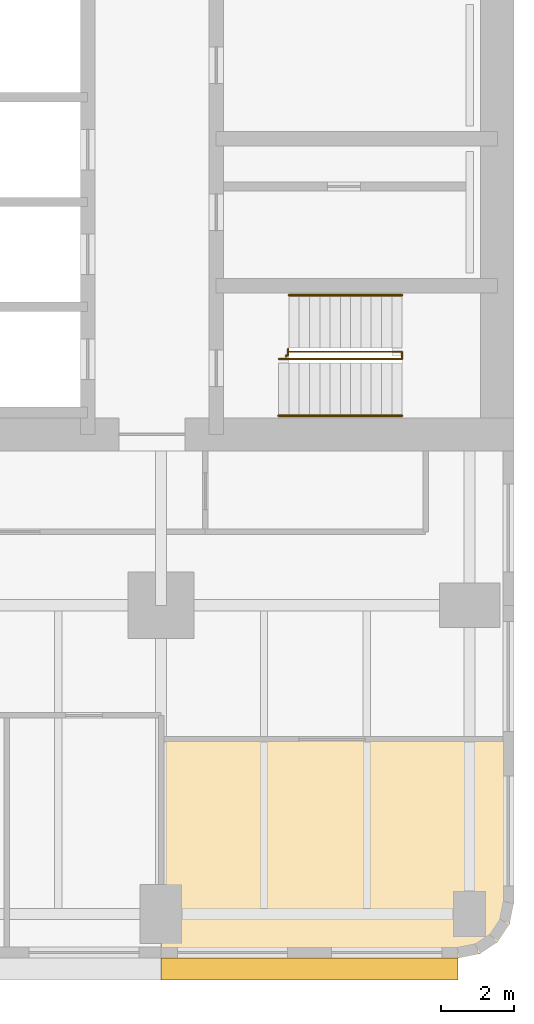
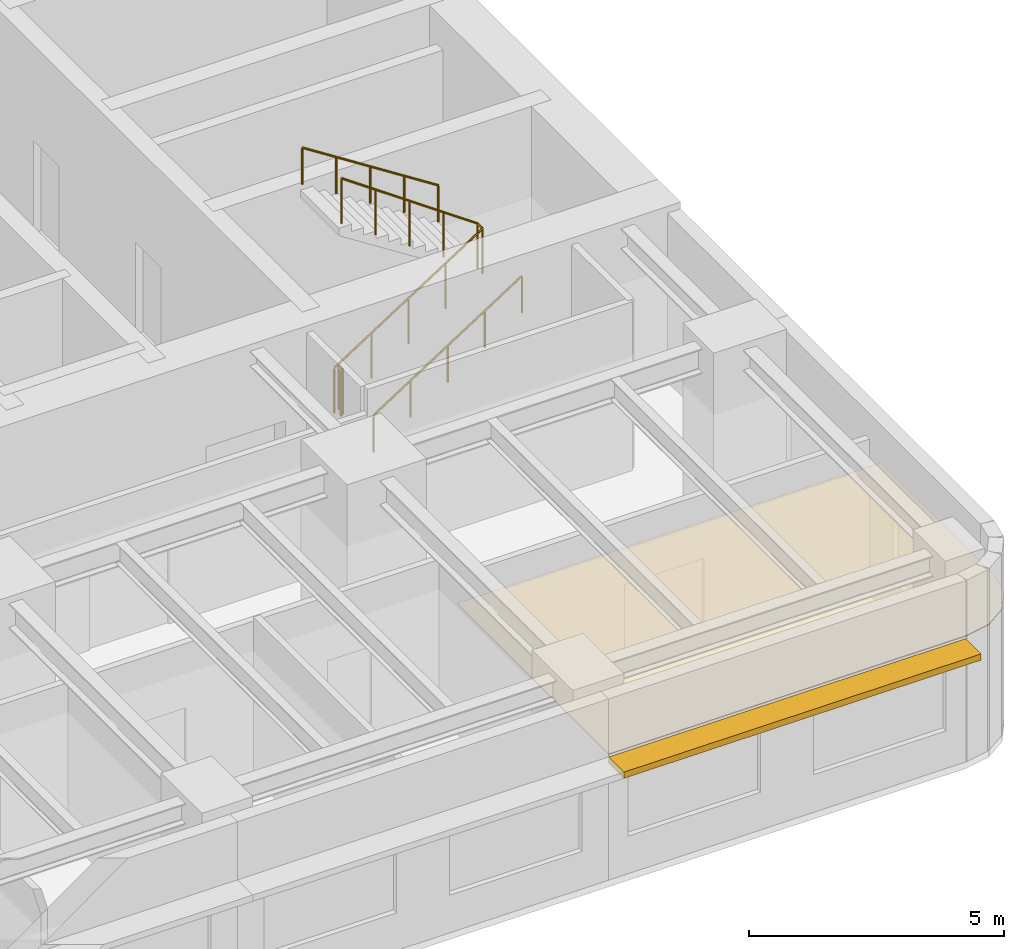
# One storey, part 11 of 14: 4 railings, 1 covering, 1 shading device.
"""IFC4 building model written with IfcOpenShell, lengths in metres."""

from ifc_helpers import new_model, si_unit, direction, frame, origin, origin_2d, place, context, subcontext, project, spatial, polyline, rectangle, circle, outline, extrude, material, layer, layer_set, type_object, element, save


model = new_model("IFC4")

# Units and contexts
model_context = context("Model", 3, precision=1e-05, world=origin(), true_north=direction((0.0, 1.0)))
body_context = subcontext(model_context, "Body", "Model", "MODEL_VIEW")
ifc_project = project(units=[si_unit("LENGTHUNIT", "METRE"), si_unit("AREAUNIT", "SQUARE_METRE"), si_unit("VOLUMEUNIT", "CUBIC_METRE"), si_unit("PLANEANGLEUNIT", "RADIAN"), si_unit("MASSUNIT", "GRAM", prefix="KILO")], contexts=[model_context])

# Site, building, storey
site_placement = place(None, origin())
site = spatial("IfcSite", under=ifc_project, at=site_placement, CompositionType="ELEMENT")
building_placement = place(site_placement, origin())
building = spatial("IfcBuilding", under=site, at=building_placement, Name="Claustro Exchange Tower", CompositionType="ELEMENT")
storey_placement = place(building_placement, frame((0.0, 0.0, 41.39990234375)))
storey = spatial("IfcBuildingStorey", under=building, at=storey_placement, Name="L09", CompositionType="ELEMENT", Elevation=41.39990234375)

# Covering
ifc_material_1 = material(Name="Gypsum board ceiling", Category="gypsum board")
ifc_layer_1 = layer(ifc_material_1, 0.02490234375)
ifc_layer_set_1 = layer_set([ifc_layer_1], Name="Gypsum board ceiling")
covering_type = type_object("IfcCoveringType", Name="CL2 plasterboard ceiling", PredefinedType="CEILING", material=ifc_layer_set_1)
covering_placement = place(storey_placement, frame((0.0, 0.0, 3.0)))
element("IfcCovering", 1, at=covering_placement, inside=storey, type_object=covering_type, Name="Ceiling CL2 L09-02", PredefinedType="CEILING", context=body_context, shape_type="SweptSolid", body=[
    extrude(outline(polyline([(51.60009765625, 0.300048828125), (51.60009765625, 4.75), (42.0, 4.75), (42.0, -1.199951171875), (50.10009765625, -1.199951171875), (50.674072265625, -1.085693359375), (51.16064453125, -0.7607421875), (51.48583984375, -0.27392578125), (51.60009765625, 0.300048828125)])), origin(), (0.0, 0.0, 1.0), 0.025146484375),
])

# Railings
ifc_material_2 = material(Name="Steel balustrade, painted", Category="steel")
railing_type_1 = type_object("IfcRailingType", Name="GR2 1100 steel stair guard", PredefinedType="GUARDRAIL", material=ifc_material_2)
railing_1_placement = place(storey_placement, frame((45.199951171875, 15.10009765625, 0.18017578125)))
element("IfcRailing", 2, at=railing_1_placement, inside=storey, type_object=railing_type_1, Name="Stair well guard GR2 stair STEA L09", PredefinedType="GUARDRAIL", context=body_context, shape_type="SweptSolid", body=[
    extrude(circle(Radius=0.02392578125, at=origin_2d()), frame((0.0, 0.0, 1.076171875), z_axis=(0.84119634759, 0.0, 0.540729789082), x_axis=(0.0, 1.0, 0.0)), (0.0, 0.0, 1.0), 3.994384765625),
    extrude(circle(Radius=0.02392578125, at=origin_2d()), frame((3.360107421875, 0.0, 3.23583984375), z_axis=(0.0, 1.0, 0.0), x_axis=(-1.0, 0.0, 0.0)), (0.0, 0.0, 1.0), 0.199951171875),
    extrude(circle(Radius=0.02392578125, at=origin_2d()), frame((3.360107421875, 0.199951171875, 3.23583984375), z_axis=(-0.8187499073, 0.0, 0.574150319426), x_axis=(0.0, -1.0, 0.0)), (0.0, 0.0, 1.0), 3.761962890625),
    extrude(circle(Radius=0.02099609375, at=origin_2d()), origin(), (0.0, 0.0, 1.0), 1.052001953125),
    extrude(circle(Radius=0.02099609375, at=origin_2d()), frame((0.840087890625, 0.0, 0.5400390625)), (0.0, 0.0, 1.0), 1.052001953125),
    extrude(circle(Radius=0.02099609375, at=origin_2d()), frame((1.68017578125, 0.0, 1.080078125)), (0.0, 0.0, 1.0), 1.052001953125),
    extrude(circle(Radius=0.02099609375, at=origin_2d()), frame((2.52001953125, 0.0, 1.619873046875)), (0.0, 0.0, 1.0), 1.052001953125),
    extrude(circle(Radius=0.02099609375, at=origin_2d()), frame((3.360107421875, 0.0, 2.159912109375)), (0.0, 0.0, 1.0), 1.052001953125),
    extrude(circle(Radius=0.02099609375, at=origin_2d()), frame((3.360107421875, 0.199951171875, 2.159912109375)), (0.0, 0.0, 1.0), 1.052001953125),
    extrude(circle(Radius=0.02099609375, at=origin_2d()), frame((2.590087890625, 0.199951171875, 2.699951171875)), (0.0, 0.0, 1.0), 1.052001953125),
    extrude(circle(Radius=0.02099609375, at=origin_2d()), frame((1.820068359375, 0.199951171875, 3.23974609375)), (0.0, 0.0, 1.0), 1.052001953125),
    extrude(circle(Radius=0.02099609375, at=origin_2d()), frame((1.050048828125, 0.199951171875, 3.77978515625)), (0.0, 0.0, 1.0), 1.052001953125),
    extrude(circle(Radius=0.02099609375, at=origin_2d()), frame((0.280029296875, 0.199951171875, 4.31982421875)), (0.0, 0.0, 1.0), 1.052001953125),
])
railing_2_placement = place(storey_placement, frame((45.39990234375, 15.169921875, 0.0)))
element("IfcRailing", 3, at=railing_2_placement, inside=storey, type_object=railing_type_1, Name="Stair guard GR2 STEA L09", PredefinedType="GUARDRAIL", context=body_context, shape_type="SweptSolid", body=[
    extrude(circle(Radius=0.02392578125, at=origin_2d()), frame((0.0, 0.0, 1.076171875), z_axis=(0.0, 1.0, 0.0), x_axis=(-1.0, 0.0, 0.0)), (0.0, 0.0, 1.0), 0.030029296875),
    extrude(circle(Radius=0.02392578125, at=origin_2d()), frame((0.0, 0.030029296875, 1.076171875), z_axis=(1.0, 0.0, 0.0), x_axis=(0.0, 1.0, 0.0)), (0.0, 0.0, 1.0), 0.05517578125),
    extrude(circle(Radius=0.02392578125, at=origin_2d()), frame((0.05517578125, 0.030029296875, 1.076171875), z_axis=(0.0, 1.0, 0.0), x_axis=(-1.0, 0.0, 0.0)), (0.0, 0.0, 1.0), 0.179931640625),
    extrude(circle(Radius=0.02099609375, at=origin_2d()), origin(), (0.0, 0.0, 1.0), 1.052001953125),
    extrude(circle(Radius=0.02099609375, at=origin_2d()), frame((0.0, 0.030029296875, 0.0)), (0.0, 0.0, 1.0), 1.052001953125),
    extrude(circle(Radius=0.02099609375, at=origin_2d()), frame((0.05517578125, 0.030029296875, 0.0)), (0.0, 0.0, 1.0), 1.052001953125),
    extrude(circle(Radius=0.02099609375, at=origin_2d()), frame((0.05517578125, 0.2099609375, 0.0)), (0.0, 0.0, 1.0), 1.052001953125),
])
ifc_material_3 = material(Name="Stainless steel tube", Category="steel")
railing_type_2 = type_object("IfcRailingType", Name="HR1 900 stair handrail", PredefinedType="HANDRAIL", material=ifc_material_3)
railing_3_placement = place(storey_placement, frame((45.199951171875, 13.56005859375, 0.18017578125)))
element("IfcRailing", 4, at=railing_3_placement, inside=storey, type_object=railing_type_2, Name="Handrail HR1 stair STEA L09", PredefinedType="HANDRAIL", context=body_context, shape_type="SweptSolid", body=[
    extrude(circle(Radius=0.02392578125, at=origin_2d()), frame((0.0, 0.0, 0.8759765625), z_axis=(0.84119634759, 0.0, 0.540729789082), x_axis=(0.0, 1.0, 0.0)), (0.0, 0.0, 1.0), 3.994384765625),
    extrude(circle(Radius=0.02099609375, at=origin_2d()), origin(), (0.0, 0.0, 1.0), 0.851806640625),
    extrude(circle(Radius=0.02099609375, at=origin_2d()), frame((0.840087890625, 0.0, 0.5400390625)), (0.0, 0.0, 1.0), 0.851806640625),
    extrude(circle(Radius=0.02099609375, at=origin_2d()), frame((1.68017578125, 0.0, 1.080078125)), (0.0, 0.0, 1.0), 0.851806640625),
    extrude(circle(Radius=0.02099609375, at=origin_2d()), frame((2.52001953125, 0.0, 1.619873046875)), (0.0, 0.0, 1.0), 0.851806640625),
    extrude(circle(Radius=0.02099609375, at=origin_2d()), frame((3.360107421875, 0.0, 2.159912109375)), (0.0, 0.0, 1.0), 0.851806640625),
])
railing_4_placement = place(storey_placement, frame((48.56005859375, 16.840087890625, 2.52001953125)))
element("IfcRailing", 5, at=railing_4_placement, inside=storey, type_object=railing_type_2, Name="Handrail HR1 stair STEA L09", PredefinedType="HANDRAIL", context=body_context, shape_type="SweptSolid", body=[
    extrude(circle(Radius=0.02392578125, at=origin_2d()), frame((0.0, 0.0, 0.8759765625), z_axis=(-0.84118714077, 0.0, 0.540744111576), x_axis=(0.0, -1.0, 0.0)), (0.0, 0.0, 1.0), 3.66162109375),
    extrude(circle(Radius=0.02099609375, at=origin_2d()), origin(), (0.0, 0.0, 1.0), 0.851806640625),
    extrude(circle(Radius=0.02099609375, at=origin_2d()), frame((-0.77001953125, 0.0, 0.4951171875)), (0.0, 0.0, 1.0), 0.851806640625),
    extrude(circle(Radius=0.02099609375, at=origin_2d()), frame((-1.5400390625, 0.0, 0.989990234375)), (0.0, 0.0, 1.0), 0.851806640625),
    extrude(circle(Radius=0.02099609375, at=origin_2d()), frame((-2.31005859375, 0.0, 1.48486328125)), (0.0, 0.0, 1.0), 0.851806640625),
    extrude(circle(Radius=0.02099609375, at=origin_2d()), frame((-3.080078125, 0.0, 1.97998046875)), (0.0, 0.0, 1.0), 0.851806640625),
])

# Shading device
ifc_material_4 = material(Name="Concrete HA-40 (C40/50), precast, white cement, acid-etched", Category="concrete")
ifc_layer_2 = layer(ifc_material_4, 0.14990234375)
ifc_layer_set_2 = layer_set([ifc_layer_2], Name="Concrete HA-40 (C40/50), precast, white cement, acid-etched")
shading_device_type = type_object("IfcShadingDeviceType", Name="SS1 600 precast concrete SUNSHADE", PredefinedType="SHUTTER", material=ifc_layer_set_2)
shading_device_placement = place(storey_placement, frame((46.04248046875, -1.5, 2.800048828125), z_axis=(0.0, 0.0, 1.0), x_axis=(-1.0, 0.0, 0.0)))
element("IfcShadingDevice", 6, at=shading_device_placement, inside=storey, type_object=shading_device_type, Name="Precast SUNSHADE SS1 L09", PredefinedType="SHUTTER", context=body_context, shape_type="SweptSolid", body=[
    extrude(rectangle(XDim=8.085205078125, YDim=0.60009765625, at=origin_2d()), origin(), (0.0, 0.0, 1.0), 0.14990234375),
])

save(model, "model.ifc")
